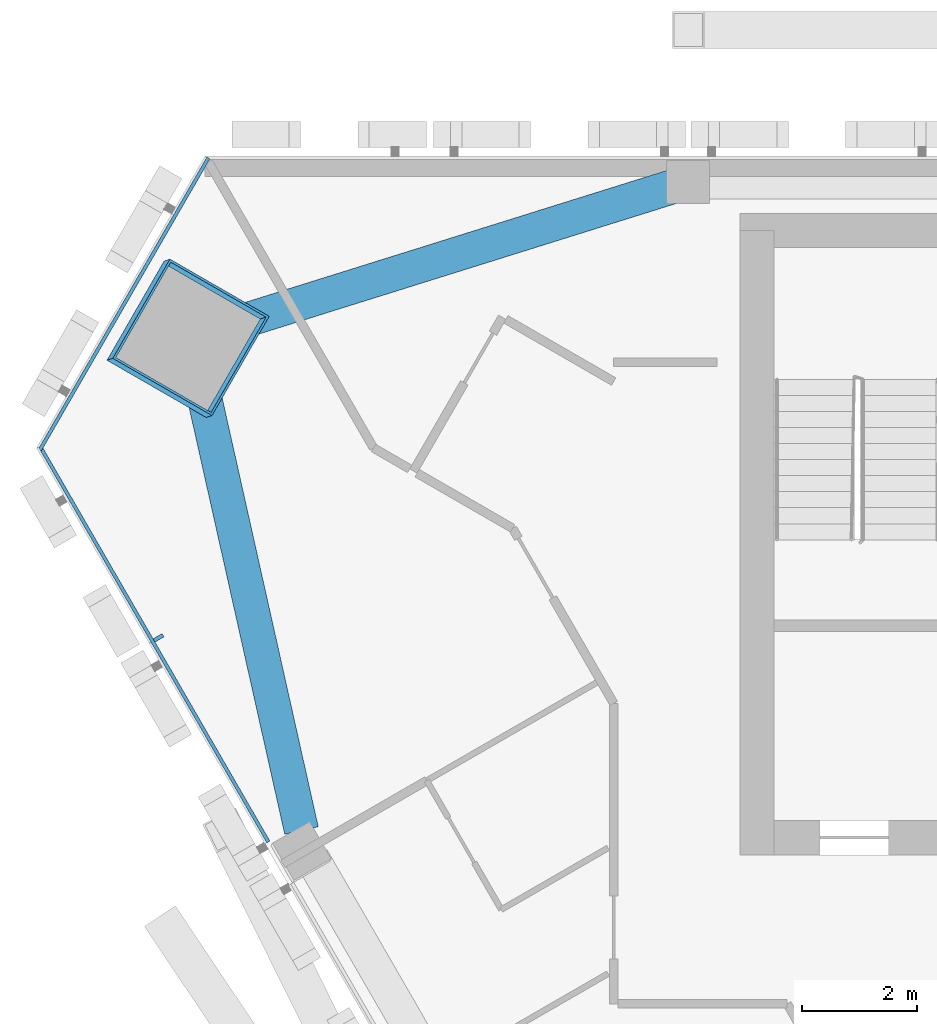
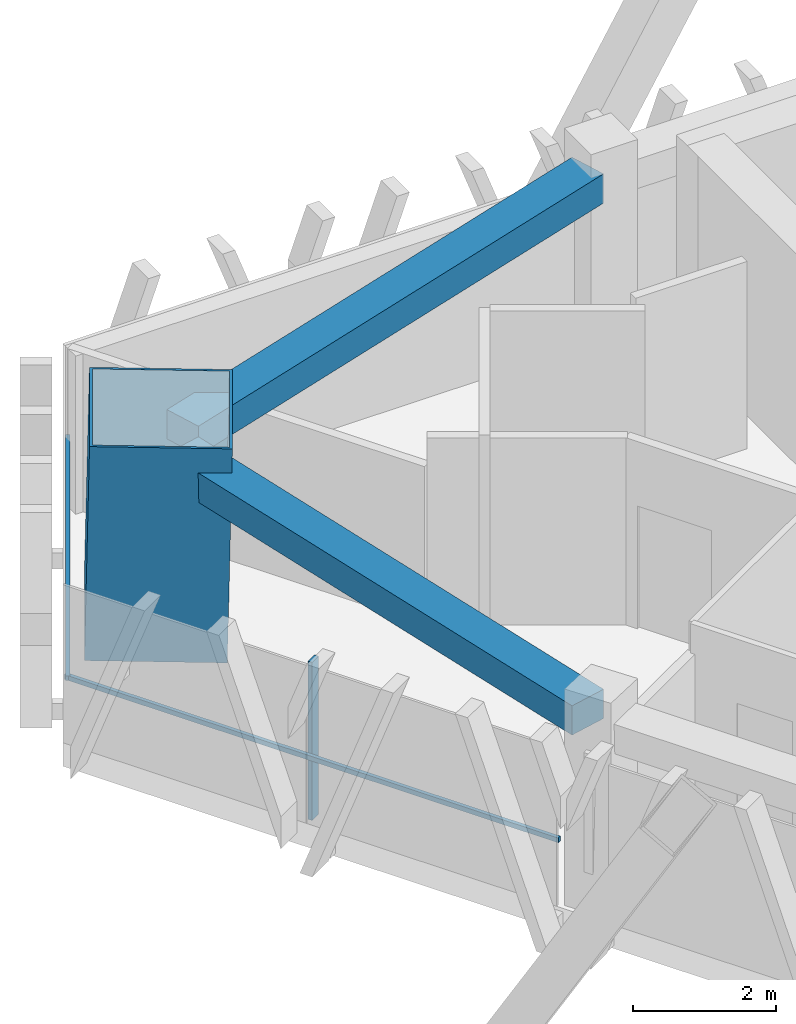
# One storey, part 12 of 22: 4 members, 2 beams, 2 elements without a shape of their own.
"""IFC4 building model written with IfcOpenShell, lengths in metres."""

import ifcopenshell
import ifcopenshell.guid

model = None  # the IFC model being written
_history = None  # IfcOwnerHistory: only IFC2X3 demands one
_inside = {}  # id of a spatial element -> (the spatial element, [elements in it])
_under = {}  # id of a project, library or spatial element -> (it, [spatial elements below it])
_declared = {}  # id of a project -> (the project, [libraries it declares])
_typed = {}  # id of a type object -> (the type object, [elements of that type])
_made_of = {}  # id of a material, layer set ... -> (it, [elements and type objects made of it])


def new_model(schema):
    """Start an empty IFC model of exactly this schema.

    Asked for "IFC4X3", IfcOpenShell would pick the latest addendum, in which some entities
    have other attributes; the version numbers below select the first issue.
    IFC2X3 requires an IfcOwnerHistory on every rooted entity: one is made here for all.
    """
    global model, _history
    if schema == "IFC4X3":
        model = ifcopenshell.file(schema_version=(4, 3, 0, 0))
    else:
        model = ifcopenshell.file(schema=schema)
    _inside.clear()
    _under.clear()
    _declared.clear()
    _typed.clear()
    _made_of.clear()
    _history = None
    if model.schema == "IFC2X3":
        org = make("IfcOrganization", Name="unknown")
        user = make(
            "IfcPersonAndOrganization",
            ThePerson=make("IfcPerson", FamilyName="unknown"),
            TheOrganization=org,
        )
        app = make(
            "IfcApplication",
            ApplicationDeveloper=org,
            Version="unknown",
            ApplicationFullName="unknown",
            ApplicationIdentifier="unknown",
        )
        _history = make(
            "IfcOwnerHistory",
            OwningUser=user,
            OwningApplication=app,
            ChangeAction="ADDED",
            CreationDate=0,
        )
    return model


def make(cls, **values):
    """One entity of the class cls with the attributes given. An attribute that is None is left unset."""
    return model.create_entity(
        cls, **{name: value for name, value in values.items() if value is not None}
    )


def rooted(cls, **values):
    """An entity with a GlobalId (a new one), such as an element, a storey or a relation."""
    return make(cls, GlobalId=ifcopenshell.guid.new(), OwnerHistory=_history, **values)


def si_unit(unit_type, name, prefix=None):
    """IfcSIUnit, for example si_unit("LENGTHUNIT", "METRE", prefix="MILLI")."""
    return make("IfcSIUnit", UnitType=unit_type, Prefix=prefix, Name=name)


def assignment(units):
    """IfcUnitAssignment: the units of a project."""
    return None if units is None else make("IfcUnitAssignment", Units=units)


def point(xyz):
    """IfcCartesianPoint."""
    return None if xyz is None else make("IfcCartesianPoint", Coordinates=xyz)


def direction(xyz):
    """IfcDirection."""
    return None if xyz is None else make("IfcDirection", DirectionRatios=xyz)


def frame(location, z_axis=None, x_axis=None):
    """IfcAxis2Placement3D, a coordinate frame: its origin and axes. An axis left out is left unset."""
    return make(
        "IfcAxis2Placement3D",
        Location=point(location),
        Axis=direction(z_axis),
        RefDirection=direction(x_axis),
    )


def frame_2d(location, x_axis=None):
    """IfcAxis2Placement2D, a coordinate frame in the plane: its origin and x axis."""
    return make(
        "IfcAxis2Placement2D", Location=point(location), RefDirection=direction(x_axis)
    )


def origin():
    """The frame at (0, 0, 0) with its axes left unset."""
    return frame((0.0, 0.0, 0.0))


def origin_2d():
    """The frame at (0, 0) in the plane with its x axis left unset."""
    return frame_2d((0.0, 0.0))


def place(relative_to, where):
    """IfcLocalPlacement: puts the frame where relative to a parent placement (None: the world)."""
    return make(
        "IfcLocalPlacement", PlacementRelTo=relative_to, RelativePlacement=where
    )


def context(
    kind, dimensions, precision=None, world=None, true_north=None, identifier=None
):
    """IfcGeometricRepresentationContext, for example the 3D "Model" context."""
    return make(
        "IfcGeometricRepresentationContext",
        ContextIdentifier=identifier,
        ContextType=kind,
        CoordinateSpaceDimension=dimensions,
        Precision=precision,
        WorldCoordinateSystem=world,
        TrueNorth=true_north,
    )


def subcontext(parent, identifier, kind, view, scale=None):
    """IfcGeometricRepresentationSubContext, for example "Body" below "Model"."""
    return make(
        "IfcGeometricRepresentationSubContext",
        ContextIdentifier=identifier,
        ContextType=kind,
        ParentContext=parent,
        TargetScale=scale,
        TargetView=view,
    )


def project(units=None, contexts=None):
    """IfcProject with its units and contexts."""
    return rooted(
        "IfcProject",
        Name="project",
        RepresentationContexts=contexts,
        UnitsInContext=assignment(units),
    )


def spatial(cls, under=None, at=None, **own):
    """A site, building, storey or space (cls), placed at a placement, below another one or the project."""
    s = rooted(cls, ObjectPlacement=at, **own)
    if under is not None:
        _under.setdefault(under.id(), (under, []))[1].append(s)
    return s


def profile(cls, at=None, kind="AREA", **sizes):
    """A parametric profile (cls). Its sizes go by their IFC names, for example OverallWidth=200.0."""
    return make(cls, ProfileType=kind, Position=at, **sizes)


def rectangle(**sizes):
    """IfcRectangleProfileDef."""
    return profile("IfcRectangleProfileDef", **sizes)


def hollow_rectangle(**sizes):
    """IfcRectangleHollowProfileDef."""
    return profile("IfcRectangleHollowProfileDef", **sizes)


def extrude(swept, where, along, depth):
    """IfcExtrudedAreaSolid: the profile swept, set in the frame where, extruded along a direction by depth."""
    return make(
        "IfcExtrudedAreaSolid",
        SweptArea=swept,
        Position=where,
        ExtrudedDirection=direction(along),
        Depth=depth,
    )


def shape(context_of_items, identifier, shape_type, items):
    """IfcShapeRepresentation: the items that make up one representation, for example the "Body"."""
    return make(
        "IfcShapeRepresentation",
        ContextOfItems=context_of_items,
        RepresentationIdentifier=identifier,
        RepresentationType=shape_type,
        Items=items,
    )


def material(Name=None, Category=None):
    """IfcMaterial."""
    return make("IfcMaterial", Name=Name, Category=Category)


def layer(
    of_material, thickness, ventilated=None, Name=None, Category=None, Priority=None
):
    """IfcMaterialLayer: one layer of a wall or slab, of a material (None: an air gap)."""
    return make(
        "IfcMaterialLayer",
        Material=of_material,
        LayerThickness=thickness,
        IsVentilated=ventilated,
        Name=Name,
        Category=Category,
        Priority=Priority,
    )


def layer_set(layers, Name=None):
    """IfcMaterialLayerSet."""
    return make("IfcMaterialLayerSet", MaterialLayers=layers, LayerSetName=Name)


def material_profile(
    of_material, cross_section, Name=None, Category=None, Priority=None
):
    """IfcMaterialProfile: a cross section and its material."""
    return make(
        "IfcMaterialProfile",
        Name=Name,
        Material=of_material,
        Profile=cross_section,
        Priority=Priority,
        Category=Category,
    )


def profile_set(profiles, Name=None, composite=None):
    """IfcMaterialProfileSet."""
    return make(
        "IfcMaterialProfileSet",
        Name=Name,
        MaterialProfiles=profiles,
        CompositeProfile=composite,
    )


def made_of(thing, what):
    """Note that an element or type object is made of a material, layer set ...; save() writes the relation."""
    if what is not None:
        _made_of.setdefault(what.id(), (what, []))[1].append(thing)
    return thing


def type_object(cls, material=None, **own):
    """A type object (cls), such as IfcWallType, which elements share."""
    return made_of(rooted(cls, **own), material)


def element(
    cls,
    number,
    at=None,
    inside=None,
    cuts=None,
    type_object=None,
    material=None,
    context=None,
    identifier="Body",
    shape_type=None,
    held_by="IfcProductDefinitionShape",
    body=None,
    shapes=None,
    **own,
):
    """One element of the class cls, such as IfcWall. Its Tag is "e" and its number.

    at: its placement. inside: the storey or other place that contains it. cuts: it is an
    opening in that element (IfcRelVoidsElement). A single representation is given by context,
    identifier, shape_type and body (its items); several are given by shapes. held_by: the class
    of the entity that holds the representations. save() writes the other relations.
    """
    e = rooted(cls, Tag="e%d" % number, ObjectPlacement=at, **own)
    if body is not None:
        shapes = [shape(context, identifier, shape_type, body)]
    if shapes is not None:
        e.Representation = make(held_by, Representations=shapes)
    if inside is not None:
        _inside.setdefault(inside.id(), (inside, []))[1].append(e)
    if cuts is not None:
        rooted(
            "IfcRelVoidsElement", RelatingBuildingElement=cuts, RelatedOpeningElement=e
        )
    if type_object is not None:
        _typed.setdefault(type_object.id(), (type_object, []))[1].append(e)
    return made_of(e, material)


def aggregate(whole, parts):
    """IfcRelAggregates: a whole, such as a stair, and the parts it consists of."""
    return rooted("IfcRelAggregates", RelatingObject=whole, RelatedObjects=parts)


def save(model, path):
    """Write the relations noted so far, then the file.

    IfcRelAggregates (storeys below a building ...), IfcRelContainedInSpatialStructure (elements
    in a storey), IfcRelDefinesByType, IfcRelAssociatesMaterial and IfcRelDeclares: one each for
    every whole, place, type object, material and project.
    """
    for whole, parts in _under.values():
        aggregate(whole, parts)
    for where, things in _inside.values():
        rooted(
            "IfcRelContainedInSpatialStructure",
            RelatedElements=things,
            RelatingStructure=where,
        )
    for kind, things in _typed.values():
        rooted("IfcRelDefinesByType", RelatedObjects=things, RelatingType=kind)
    for what, things in _made_of.values():
        rooted("IfcRelAssociatesMaterial", RelatedObjects=things, RelatingMaterial=what)
    for by, libraries in _declared.values():
        rooted("IfcRelDeclares", RelatingContext=by, RelatedDefinitions=libraries)
    model.write(path)


model = new_model("IFC4")

# Units and contexts
model_context = context("Model", 3, precision=1e-05, world=origin(), true_north=direction((0.0, 1.0)))
body_context = subcontext(model_context, "Body", "Model", "MODEL_VIEW")
ifc_project = project(units=[si_unit("LENGTHUNIT", "METRE"), si_unit("AREAUNIT", "SQUARE_METRE"), si_unit("VOLUMEUNIT", "CUBIC_METRE"), si_unit("PLANEANGLEUNIT", "RADIAN"), si_unit("MASSUNIT", "GRAM", prefix="KILO")], contexts=[model_context])

# Site, building, storey
site_placement = place(None, origin())
site = spatial("IfcSite", under=ifc_project, at=site_placement, CompositionType="ELEMENT")
building_placement = place(site_placement, origin())
building = spatial("IfcBuilding", under=site, at=building_placement, Name="Altiplano Prism Tower", CompositionType="ELEMENT")
storey_placement = place(building_placement, frame((0.0, 0.0, 219.39990234375)))
storey = spatial("IfcBuildingStorey", under=building, at=storey_placement, Name="L56", CompositionType="ELEMENT", Elevation=219.39990234375)

# Curtain wall, member
ifc_material_1 = material(Name="Aluminium and glass", Category="aluminium")
ifc_layer = layer(ifc_material_1, 0.280029296875)
ifc_layer_set = layer_set([ifc_layer], Name="Aluminium and glass")
curtain_wall_type = type_object("IfcCurtainWallType", Name="CW1 typical co-living unitised curtain wall", PredefinedType="NOTDEFINED", material=ifc_layer_set)
curtain_wall_1_placement = place(storey_placement, origin())
curtain_wall_1 = element("IfcCurtainWall", 1, at=curtain_wall_1_placement, inside=storey, type_object=curtain_wall_type, Name="CW1 curtain wall south-west face L56", PredefinedType="NOTDEFINED")
ifc_material_2 = material(Name="Aluminium", Category="aluminium")
ifc_material_profile_1 = material_profile(ifc_material_2, rectangle(XDim=0.179931640625, YDim=0.06494140625, at=origin_2d()), Name="CW1 mullion 65 x 180")
ifc_profile_set_1 = profile_set([ifc_material_profile_1], Name="Aluminium")
member_type_1 = type_object("IfcMemberType", Name="CW1 mullion 65 x 180", PredefinedType="MULLION", material=ifc_profile_set_1)
member_1_placement = place(storey_placement, frame((62.2529296875, 96.587890625, 0.0), z_axis=(0.0, 0.0, 1.0), x_axis=(0.866025415356, 0.499999979958, 0.0)))
member_1 = element("IfcMember", 2, at=member_1_placement, type_object=member_type_1, Name="CW1 mullion", PredefinedType="MULLION", context=body_context, shape_type="SweptSolid", body=[
    extrude(rectangle(XDim=0.179931640625, YDim=0.06494140625, at=origin_2d()), origin(), (0.0, 0.0, 1.0), 2.7001953125),
])

curtain_wall_2_placement = place(storey_placement, origin())
curtain_wall_2 = element("IfcCurtainWall", 3, at=curtain_wall_2_placement, inside=storey, type_object=curtain_wall_type, Name="CW1 curtain wall north-west chamfer L56", PredefinedType="NOTDEFINED")
ifc_material_profile_2 = material_profile(ifc_material_2, rectangle(XDim=0.06005859375, YDim=0.080078125, at=origin_2d()), Name="CW1 transom 80 x 60")
ifc_profile_set_2 = profile_set([ifc_material_profile_2], Name="Aluminium")
member_type_2 = type_object("IfcMemberType", Name="CW1 transom 80 x 60", PredefinedType="USERDEFINED", material=ifc_profile_set_2)
member_2_placement = place(storey_placement, frame((63.1240234375, 104.965087890625, 1.10009765625), z_axis=(-0.500010856691, -0.86601913558, 0.0), x_axis=(0.86601913558, -0.500010856691, 0.0)))
member_2 = element("IfcMember", 4, at=member_2_placement, type_object=member_type_2, Name="CW1 transom", ObjectType="TRANSOM", PredefinedType="USERDEFINED", context=body_context, shape_type="SweptSolid", body=[
    extrude(rectangle(XDim=0.06005859375, YDim=0.080078125, at=origin_2d()), origin(), (0.0, 0.0, 1.0), 5.886474609375),
])
aggregate(curtain_wall_2, [member_2])

# Member
member_3_placement = place(storey_placement, frame((60.1806640625, 99.937255859375, 1.10009765625), z_axis=(0.500007503945, -0.866021071336, 0.0), x_axis=(0.866021071336, 0.500007503945, 0.0)))
member_3 = element("IfcMember", 5, at=member_3_placement, type_object=member_type_2, Name="CW1 transom", ObjectType="TRANSOM", PredefinedType="USERDEFINED", context=body_context, shape_type="SweptSolid", body=[
    extrude(rectangle(XDim=0.06005859375, YDim=0.080078125, at=origin_2d()), origin(), (0.0, 0.0, 1.0), 7.982421875),
])

aggregate(curtain_wall_1, [member_1, member_3])

# Beams
ifc_material_3 = material(Name="Concrete C60/75", Category="concrete")
ifc_material_profile_3 = material_profile(ifc_material_3, rectangle(XDim=0.60009765625, YDim=0.5, at=origin_2d()), Name="Edge beam 600x500")
ifc_profile_set_3 = profile_set([ifc_material_profile_3], Name="Concrete C60/75")
beam_type = type_object("IfcBeamType", Name="Edge beam 600x500", PredefinedType="SPANDREL", material=ifc_profile_set_3)
for number, where, z_axis, x_axis, name in (
    (6, (71.239501953125, 104.468505859375, 2.9501953125), (-0.954384455077, -0.298580494853, 0.0), (0.298580494853, -0.954384455077, 0.0), "Edge beam P04-M0 L57"),
    (7, (62.918212890625, 101.395263671875, 2.9501953125), (0.218625283358, -0.975808887783, 0.0), (0.975808887783, 0.218625283358, 0.0), "Edge beam M0-P11 L57"),
):
    element("IfcBeam", number, at=place(storey_placement, frame(where, z_axis=z_axis, x_axis=x_axis)), inside=storey, type_object=beam_type, Name=name, PredefinedType="SPANDREL", context=body_context, shape_type="SweptSolid", body=[
        extrude(rectangle(XDim=0.60009765625, YDim=0.5, at=origin_2d()), origin(), (0.0, 0.0, 1.0), 8.3720703125),
    ])

# Member
ifc_material_4 = material(Name="Steel S460", Category="steel")
ifc_material_profile_4 = material_profile(ifc_material_4, hollow_rectangle(XDim=2.0, YDim=2.0, WallThickness=0.0400390625, at=origin_2d()), Name="Mega column tube 2000")
ifc_profile_set_4 = profile_set([ifc_material_profile_4], Name="Steel S460")
member_type_3 = type_object("IfcMemberType", Name="Mega column tube 2000", PredefinedType="POST", material=ifc_profile_set_4)
member_4_placement = place(storey_placement, frame((62.717529296875, 101.801025390625, 0.0), z_axis=(0.028401796786, 0.009286506348, 0.999553449666), x_axis=(-0.866201950793, 0.49929472605, 0.019973907494)))
element("IfcMember", 8, at=member_4_placement, inside=storey, type_object=member_type_3, Name="Mega column tube M0 L56", PredefinedType="POST", context=body_context, shape_type="SweptSolid", body=[
    extrude(hollow_rectangle(XDim=2.0, YDim=2.0, WallThickness=0.0400390625, at=origin_2d()), origin(), (0.0, 0.0, 1.0), 3.601806640625),
])

save(model, "model.ifc")
